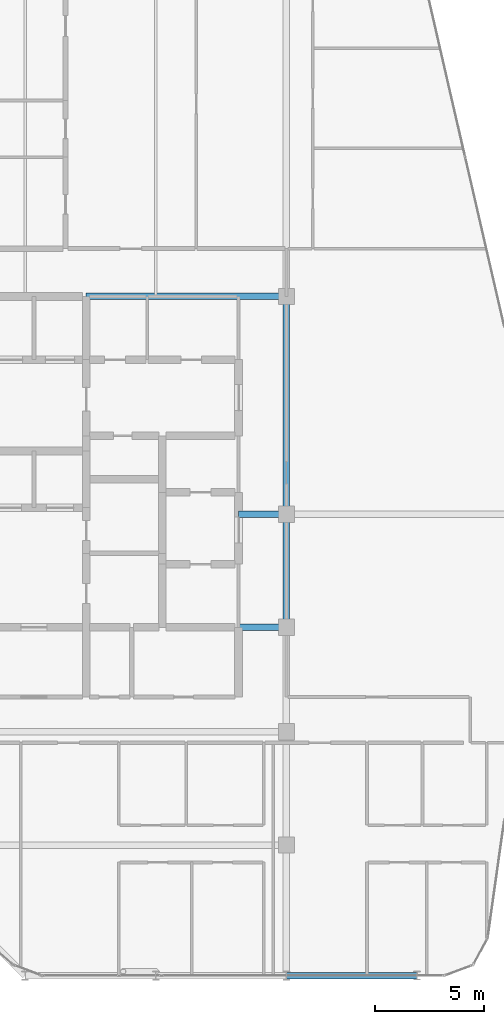
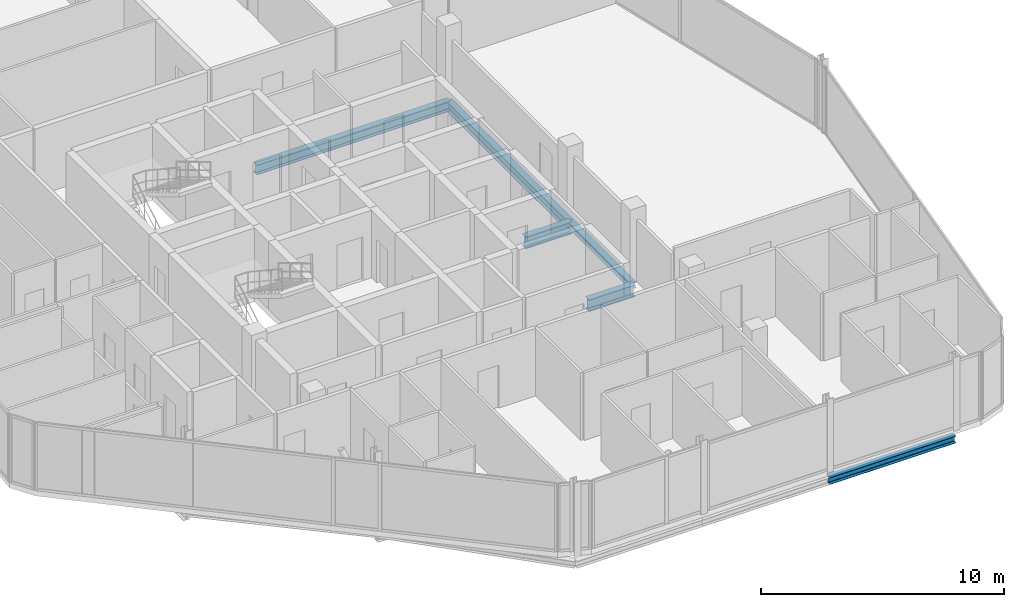
# One storey, part 11 of 27: 6 beams.
"""IFC4 building model written with IfcOpenShell, lengths in metres."""

from ifc_helpers import new_model, si_unit, direction, frame, origin, origin_2d, place, context, subcontext, project, spatial, i_section, extrude, material, material_profile, profile_set, type_object, element, save


model = new_model("IFC4")

# Units and contexts
model_context = context("Model", 3, precision=1e-05, world=origin(), true_north=direction((0.0, 1.0)))
body_context = subcontext(model_context, "Body", "Model", "MODEL_VIEW")
ifc_project = project(units=[si_unit("LENGTHUNIT", "METRE"), si_unit("AREAUNIT", "SQUARE_METRE"), si_unit("VOLUMEUNIT", "CUBIC_METRE"), si_unit("PLANEANGLEUNIT", "RADIAN"), si_unit("MASSUNIT", "GRAM", prefix="KILO")], contexts=[model_context])

# Site, building, storey
site_placement = place(None, origin())
site = spatial("IfcSite", under=ifc_project, at=site_placement, CompositionType="ELEMENT")
building_placement = place(site_placement, origin())
building = spatial("IfcBuilding", under=site, at=building_placement, Name="Keshet Zoharim Tower", CompositionType="ELEMENT")
storey_placement = place(building_placement, frame((0.0, 0.0, 254.699951171875)))
storey = spatial("IfcBuildingStorey", under=building, at=storey_placement, Name="L63", CompositionType="ELEMENT", Elevation=254.699951171875)

# Beams
ifc_material = material(Name="Steel S355", Category="steel")
ifc_material_profile_1 = material_profile(ifc_material, i_section(OverallWidth=0.300048828125, OverallDepth=0.60009765625, WebThickness=0.015380859375, FlangeThickness=0.030029296875, FilletRadius=0.027099609375, at=origin_2d()), Name="HEB600")
ifc_profile_set_1 = profile_set([ifc_material_profile_1], Name="Steel S355")
beam_type_1 = type_object("IfcBeamType", Name="BM-CLK-HB600", PredefinedType="BEAM", material=ifc_profile_set_1)
for number, where, z_axis, x_axis, name in (
    (1, (30.800048828125, 22.699951171875, -0.60986328125), (1.0, 0.0, 0.0), (0.0, 1.0, 0.0), "L63 Core Wall Link Girder 01"),
    (2, (30.800048828125, 27.89990234375, -0.60986328125), (1.0, 0.0, 0.0), (0.0, 1.0, 0.0), "L63 Core Wall Link Girder 02"),
):
    element("IfcBeam", number, at=place(storey_placement, frame(where, z_axis=z_axis, x_axis=x_axis)), inside=storey, type_object=beam_type_1, Name=name, PredefinedType="BEAM", context=body_context, shape_type="SweptSolid", body=[
        extrude(i_section(OverallWidth=0.300048828125, OverallDepth=0.60009765625, WebThickness=0.015380859375, FlangeThickness=0.030029296875, FilletRadius=0.027099609375, at=origin_2d()), origin(), (0.0, 0.0, 1.0), 2.199951171875),
    ])
ifc_material_profile_2 = material_profile(ifc_material, i_section(OverallWidth=0.300048828125, OverallDepth=0.5, WebThickness=0.014404296875, FlangeThickness=0.028076171875, FilletRadius=0.027099609375, at=origin_2d()), Name="HEB500")
ifc_profile_set_2 = profile_set([ifc_material_profile_2], Name="Steel S355")
beam_type_2 = type_object("IfcBeamType", Name="BM-MED-HB500", PredefinedType="BEAM", material=ifc_profile_set_2)
beam_1_placement = place(storey_placement, frame((23.800048828125, 37.89990234375, -0.56005859375), z_axis=(1.0, 0.0, 0.0), x_axis=(0.0, 1.0, 0.0)))
element("IfcBeam", 3, at=beam_1_placement, inside=storey, type_object=beam_type_2, Name="L63 Primary Girder X-009", PredefinedType="BEAM", context=body_context, shape_type="SweptSolid", body=[
    extrude(i_section(OverallWidth=0.300048828125, OverallDepth=0.5, WebThickness=0.014404296875, FlangeThickness=0.028076171875, FilletRadius=0.027099609375, at=origin_2d()), origin(), (0.0, 0.0, 1.0), 9.199951171875),
])
beam_2_placement = place(storey_placement, frame((33.0, 27.89990234375, -0.56005859375), z_axis=(0.0, 1.0, 0.0), x_axis=(-1.0, 0.0, 0.0)))
element("IfcBeam", 4, at=beam_2_placement, inside=storey, type_object=beam_type_2, Name="L63 Primary Girder Y-008", PredefinedType="BEAM", context=body_context, shape_type="SweptSolid", body=[
    extrude(i_section(OverallWidth=0.300048828125, OverallDepth=0.5, WebThickness=0.014404296875, FlangeThickness=0.028076171875, FilletRadius=0.027099609375, at=origin_2d()), origin(), (0.0, 0.0, 1.0), 10.0),
])
ifc_material_profile_3 = material_profile(ifc_material, i_section(OverallWidth=0.300048828125, OverallDepth=0.2900390625, WebThickness=0.008544921875, FlangeThickness=0.013916015625, FilletRadius=0.027099609375, at=origin_2d()), Name="HEA300")
ifc_profile_set_3 = profile_set([ifc_material_profile_3], Name="Steel S355")
beam_type_3 = type_object("IfcBeamType", Name="BM-PRI-HA300", PredefinedType="BEAM", material=ifc_profile_set_3)
beam_3_placement = place(storey_placement, frame((33.0, 22.699951171875, -0.454833984375), z_axis=(0.0, 1.0, 0.0), x_axis=(-1.0, 0.0, 0.0)))
element("IfcBeam", 5, at=beam_3_placement, inside=storey, type_object=beam_type_3, Name="L63 Primary Girder Y-007", PredefinedType="BEAM", context=body_context, shape_type="SweptSolid", body=[
    extrude(i_section(OverallWidth=0.300048828125, OverallDepth=0.2900390625, WebThickness=0.008544921875, FlangeThickness=0.013916015625, FilletRadius=0.027099609375, at=origin_2d()), origin(), (0.0, 0.0, 1.0), 5.199951171875),
])
ifc_material_profile_4 = material_profile(ifc_material, i_section(OverallWidth=0.300048828125, OverallDepth=0.35009765625, WebThickness=0.010009765625, FlangeThickness=0.017578125, FilletRadius=0.027099609375, at=origin_2d()), Name="HEA360")
ifc_profile_set_4 = profile_set([ifc_material_profile_4], Name="Steel S355")
beam_type_4 = type_object("IfcBeamType", Name="BM-PRI-HA360", PredefinedType="BEAM", material=ifc_profile_set_4)
beam_4_placement = place(storey_placement, frame((33.0, 6.699951171875, -0.48486328125), z_axis=(1.0, 0.0, 0.0), x_axis=(0.0, 1.0, 0.0)))
element("IfcBeam", 6, at=beam_4_placement, inside=storey, type_object=beam_type_4, Name="L63 Primary Girder X-003", PredefinedType="BEAM", context=body_context, shape_type="SweptSolid", body=[
    extrude(i_section(OverallWidth=0.300048828125, OverallDepth=0.35009765625, WebThickness=0.010009765625, FlangeThickness=0.017578125, FilletRadius=0.027099609375, at=origin_2d()), origin(), (0.0, 0.0, 1.0), 6.0),
])

save(model, "model.ifc")
